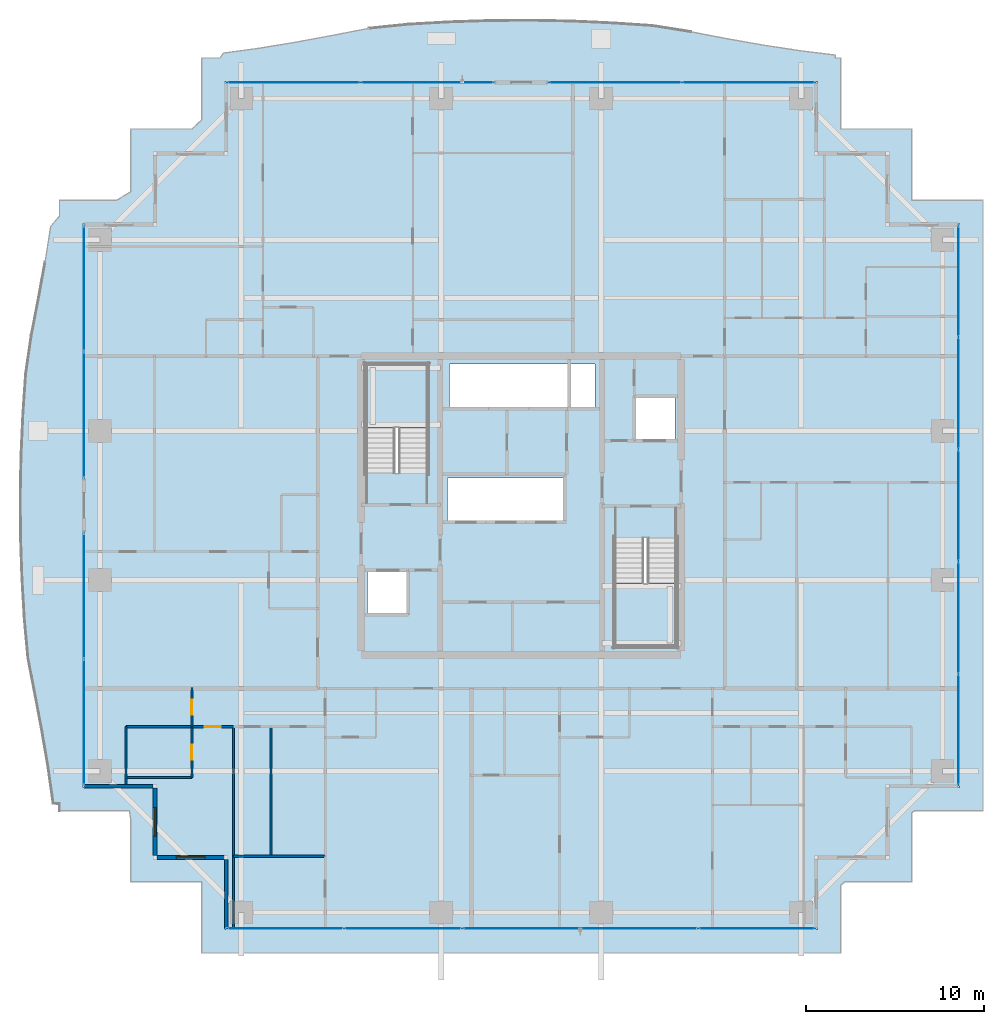
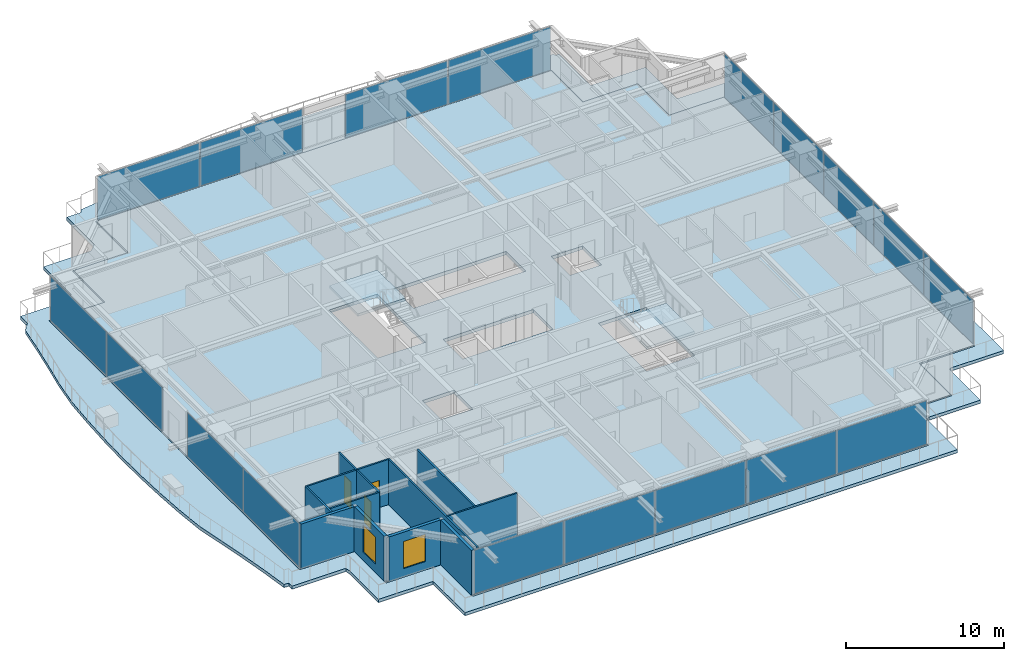
# One storey, part 26 of 39: 18 plates, 13 walls, 4 slabs, 3 doors, 2 windows, 5 openings, 8 elements without a shape of their own.
"""IFC4 building model written with IfcOpenShell, lengths in metres."""

from ifc_helpers import new_model, si_unit, direction, frame, frame_2d, origin, origin_2d, place, context, subcontext, project, spatial, polyline, rectangle, outline, extrude, source, transform, mapped, material, layer, layer_set, type_object, element, fill, aggregate, save


model = new_model("IFC4")

# Units and contexts
model_context = context("Model", 3, precision=1e-05, world=origin(), true_north=direction((0.0, 1.0)))
body_context = subcontext(model_context, "Body", "Model", "MODEL_VIEW")
ifc_project = project(units=[si_unit("LENGTHUNIT", "METRE"), si_unit("AREAUNIT", "SQUARE_METRE"), si_unit("VOLUMEUNIT", "CUBIC_METRE"), si_unit("PLANEANGLEUNIT", "RADIAN"), si_unit("MASSUNIT", "GRAM", prefix="KILO")], contexts=[model_context])

# Site, building, storey
site_placement = place(None, origin())
site = spatial("IfcSite", under=ifc_project, at=site_placement, CompositionType="ELEMENT")
building_placement = place(site_placement, origin())
building = spatial("IfcBuilding", under=site, at=building_placement, Name="Serunith Strait Residences", CompositionType="ELEMENT")
storey_placement = place(building_placement, frame((0.0, 0.0, 168.89990234375)))
storey = spatial("IfcBuildingStorey", under=building, at=storey_placement, Name="L42", CompositionType="ELEMENT", Elevation=168.89990234375)

# Slab
ifc_material_1 = material(Name="Concrete C50/60", Category="concrete")
ifc_layer_1 = layer(ifc_material_1, 0.239990234375, Name="Concrete C50/60")
ifc_layer_set_1 = layer_set([ifc_layer_1], Name="Concrete C50/60")
slab_type_1 = type_object("IfcSlabType", Name="SLB-BALC-240", PredefinedType="FLOOR", material=ifc_layer_set_1)
slab_1_placement = place(storey_placement, frame((0.0, 0.0, -0.289794921875)))
element("IfcSlab", 1, at=slab_1_placement, inside=storey, type_object=slab_type_1, Name="L42 Planted Vertical-Forest Balcony Slab", PredefinedType="FLOOR", context=body_context, shape_type="SweptSolid", body=[
    extrude(outline(polyline([(6.419921875, 8.02001953125), (6.419921875, 8.41455078125), (6.073974609375, 8.43408203125), (5.789306640625, 10.43408203125), (5.448486328125, 12.45458984375), (5.06103515625, 14.5126953125), (4.6513671875, 16.627197265625), (4.44970703125, 18.856201171875), (4.31787109375, 21.12841796875), (4.2392578125, 23.425537109375), (4.2216796875, 25.734619140625), (4.266845703125, 28.0400390625), (4.3701171875, 30.327392578125), (4.521728515625, 32.585205078125), (4.837646484375, 34.760986328125), (5.240966796875, 36.847412109375), (5.609130859375, 38.885986328125), (5.9248046875, 40.89501953125), (6.419921875, 41.472412109375), (6.419921875, 42.3798828125), (9.645263671875, 42.3798828125), (10.419921875, 42.84130859375), (10.419921875, 46.3798828125), (13.884033203125, 46.3798828125), (14.419921875, 46.893798828125), (14.419921875, 50.3798828125), (15.452392578125, 50.3798828125), (15.646728515625, 50.650634765625), (17.646728515625, 50.923828125), (19.664794921875, 51.25439453125), (21.71875, 51.634765625), (23.82861328125, 52.041748046875), (26.050048828125, 52.267822265625), (28.32421875, 52.3974609375), (30.623779296875, 52.47412109375), (32.93505859375, 52.490234375), (35.24267578125, 52.444091796875), (37.531494140625, 52.340576171875), (39.7900390625, 52.189453125), (41.95458984375, 51.848388671875), (44.035888671875, 51.44970703125), (46.07080078125, 51.0908203125), (48.078369140625, 50.787109375), (50.074462890625, 50.54052734375), (50.0732421875, 50.3798828125), (50.3798828125, 50.3798828125), (50.3798828125, 46.3798828125), (54.3798828125, 46.3798828125), (54.3798828125, 42.3798828125), (58.3798828125, 42.3798828125), (58.3798828125, 8.02001953125), (54.51513671875, 8.02001953125), (54.3798828125, 7.921875), (54.3798828125, 4.02001953125), (50.601806640625, 4.02001953125), (50.3798828125, 3.8408203125), (50.3798828125, 0.02001953125), (14.419921875, 0.02001953125), (14.419921875, 4.02001953125), (10.419921875, 4.02001953125), (10.419921875, 7.585205078125), (10.35498046875, 8.02001953125), (6.419921875, 8.02001953125)]), holes=[polyline([(49.054931640625, 1.344970703125), (49.054931640625, 5.344970703125), (53.054931640625, 5.344970703125), (53.054931640625, 9.344970703125), (57.054931640625, 9.344970703125), (57.054931640625, 41.054931640625), (53.054931640625, 41.054931640625), (53.054931640625, 45.054931640625), (49.054931640625, 45.054931640625), (49.054931640625, 49.054931640625), (15.7451171875, 49.054931640625), (15.7451171875, 45.054931640625), (11.7451171875, 45.054931640625), (11.7451171875, 41.054931640625), (7.7451171875, 41.054931640625), (7.7451171875, 9.344970703125), (11.7451171875, 9.344970703125), (11.7451171875, 5.344970703125), (15.7451171875, 5.344970703125), (15.7451171875, 1.344970703125), (49.054931640625, 1.344970703125)])]), origin(), (0.0, 0.0, 1.0), 0.239990234375),
])

# Stair, slab
stair_type_1 = type_object("IfcStairType", Name="STR-CORE-1", PredefinedType="HALF_TURN_STAIR", material=ifc_material_1)
stair_1_placement = place(storey_placement, origin())
stair_1 = element("IfcStair", 2, at=stair_1_placement, inside=storey, type_object=stair_type_1, Name="L42 Protected Escape Stair ST-1", PredefinedType="HALF_TURN_STAIR")
ifc_layer_2 = layer(ifc_material_1, 0.199951171875, Name="Concrete C50/60")
ifc_layer_set_2 = layer_set([ifc_layer_2], Name="Concrete C50/60")
slab_type_2 = type_object("IfcSlabType", Name="SLB-LAND-200", PredefinedType="LANDING", material=ifc_layer_set_2)
slab_2_placement = place(storey_placement, frame((0.0, 0.0, 1.675048828125)))
slab_2 = element("IfcSlab", 3, at=slab_2_placement, type_object=slab_type_2, Name="ST-1 landing 1", PredefinedType="LANDING", context=body_context, shape_type="SweptSolid", body=[
    extrude(outline(polyline([(27.14990234375, 29.550048828125), (27.14990234375, 33.14990234375), (23.64990234375, 33.14990234375), (23.64990234375, 29.550048828125), (27.14990234375, 29.550048828125)])), origin(), (0.0, 0.0, 1.0), 0.199951171875),
])
aggregate(stair_1, [slab_2])

stair_type_2 = type_object("IfcStairType", Name="STR-CORE-2", PredefinedType="HALF_TURN_STAIR", material=ifc_material_1)
stair_2_placement = place(storey_placement, origin())
stair_2 = element("IfcStair", 4, at=stair_2_placement, inside=storey, type_object=stair_type_2, Name="L42 Protected Escape Stair ST-2", PredefinedType="HALF_TURN_STAIR")
slab_3_placement = place(storey_placement, frame((0.0, 0.0, 1.675048828125)))
slab_3 = element("IfcSlab", 5, at=slab_3_placement, type_object=slab_type_2, Name="ST-2 landing 1", PredefinedType="LANDING", context=body_context, shape_type="SweptSolid", body=[
    extrude(outline(polyline([(37.64990234375, 20.85009765625), (37.64990234375, 17.25), (41.14990234375, 17.25), (41.14990234375, 20.85009765625), (37.64990234375, 20.85009765625)])), origin(), (0.0, 0.0, 1.0), 0.199951171875),
])
aggregate(stair_2, [slab_3])

# Slab
ifc_material_2 = material(Name="Concrete C60/75", Category="concrete")
ifc_layer_3 = layer(ifc_material_2, 0.260009765625, Name="Concrete C60/75")
ifc_layer_set_3 = layer_set([ifc_layer_3], Name="Concrete C60/75")
slab_type_3 = type_object("IfcSlabType", Name="SLB-TWR-260-Z2", PredefinedType="FLOOR", material=ifc_layer_set_3)
slab_4_placement = place(storey_placement, frame((0.0, 0.0, -0.260009765625)))
element("IfcSlab", 6, at=slab_4_placement, inside=storey, type_object=slab_type_3, Name="L42 Structural Floor Plate", PredefinedType="FLOOR", context=body_context, shape_type="SweptSolid", body=[
    extrude(outline(polyline([(15.800048828125, 5.39990234375), (11.800048828125, 5.39990234375), (11.800048828125, 9.39990234375), (7.800048828125, 9.39990234375), (7.800048828125, 41.0), (11.800048828125, 41.0), (11.800048828125, 45.0), (15.800048828125, 45.0), (15.800048828125, 49.0), (49.0, 49.0), (49.0, 45.0), (53.0, 45.0), (53.0, 41.0), (57.0, 41.0), (57.0, 9.39990234375), (53.0, 9.39990234375), (53.0, 5.39990234375), (49.0, 5.39990234375), (49.0, 1.39990234375), (15.800048828125, 1.39990234375), (15.800048828125, 5.39990234375)]), holes=[polyline([(41.14990234375, 23.3701171875), (37.64990234375, 23.3701171875), (37.64990234375, 17.25), (41.14990234375, 17.25), (41.14990234375, 23.3701171875)]), polyline([(38.75, 31.25), (38.75, 28.85009765625), (41.050048828125, 28.85009765625), (41.050048828125, 31.25), (38.75, 31.25)]), polyline([(36.550048828125, 33.14990234375), (28.35009765625, 33.14990234375), (28.35009765625, 30.64990234375), (36.550048828125, 30.64990234375), (36.550048828125, 33.14990234375)]), polyline([(34.85009765625, 26.75), (28.25, 26.75), (28.25, 24.25), (34.85009765625, 24.25), (34.85009765625, 26.75)]), polyline([(23.64990234375, 33.14990234375), (23.64990234375, 27.030029296875), (27.14990234375, 27.030029296875), (27.14990234375, 33.14990234375), (23.64990234375, 33.14990234375)]), polyline([(26.050048828125, 21.550048828125), (23.75, 21.550048828125), (23.75, 19.14990234375), (26.050048828125, 19.14990234375), (26.050048828125, 21.550048828125)])]), origin(), (0.0, 0.0, 1.0), 0.260009765625),
])

# Curtain wall, plates
ifc_material_3 = material(Name="Pale-Champagne Anodised Aluminium", Category="aluminium")
ifc_layer_4 = layer(ifc_material_3, 0.199951171875, Name="Pale-Champagne Anodised Aluminium")
ifc_layer_set_4 = layer_set([ifc_layer_4], Name="Pale-Champagne Anodised Aluminium")
curtain_wall_type = type_object("IfcCurtainWallType", Name="CW-SYS2", PredefinedType="NOTDEFINED", material=ifc_layer_set_4)
curtain_wall_1_placement = place(storey_placement, origin())
curtain_wall_1 = element("IfcCurtainWall", 7, at=curtain_wall_1_placement, inside=storey, type_object=curtain_wall_type, Name="L42 S Unitised Fritted Curtain Wall", PredefinedType="NOTDEFINED")
ifc_material_4 = material(Name="Diagonal-Frit Operable Low-E Glazing 30mm", Category="glass")
ifc_layer_5 = layer(ifc_material_4, 0.030029296875, Name="Diagonal-Frit Operable Low-E Glazing 30mm")
ifc_layer_set_5 = layer_set([ifc_layer_5], Name="Diagonal-Frit Operable Low-E Glazing 30mm")
plate_type = type_object("IfcPlateType", Name="CW-SYS2-PNL", PredefinedType="CURTAIN_PANEL", material=ifc_layer_set_5)
shared_shape_1 = source(origin(), body_context, "Body", "SweptSolid", [
    extrude(rectangle(XDim=6.534912109375, YDim=0.030029296875, at=origin_2d()), origin(), (0.0, 0.0, 1.0), 3.35498046875),
])
plate_1_placement = place(storey_placement, frame((19.137451171875, 1.39990234375, 0.06005859375), z_axis=(0.0, 0.0, 1.0), x_axis=(1.0, 0.0, 0.0)))
plate_1 = element("IfcPlate", 8, at=plate_1_placement, type_object=plate_type, Name="CW-2 panel 1.1", PredefinedType="CURTAIN_PANEL", context=body_context, shape_type="MappedRepresentation", body=[
    mapped(shared_shape_1, transform((0.0, 0.0, 0.0), scale=1.0)),
])
plate_2_placement = place(storey_placement, frame((45.66259765625, 1.39990234375, 0.06005859375), z_axis=(0.0, 0.0, 1.0), x_axis=(1.0, 0.0, 0.0)))
plate_2 = element("IfcPlate", 9, at=plate_2_placement, type_object=plate_type, Name="CW-2 panel 5.1", PredefinedType="CURTAIN_PANEL", context=body_context, shape_type="MappedRepresentation", body=[
    mapped(shared_shape_1, transform((0.0, 0.0, 0.0), scale=1.0)),
])
shared_shape_2 = source(origin(), body_context, "Body", "SweptSolid", [
    extrude(rectangle(XDim=6.570068359375, YDim=0.030029296875, at=origin_2d()), origin(), (0.0, 0.0, 1.0), 3.35498046875),
])
plate_3_placement = place(storey_placement, frame((25.760009765625, 1.39990234375, 0.06005859375), z_axis=(0.0, 0.0, 1.0), x_axis=(1.0, 0.0, 0.0)))
plate_3 = element("IfcPlate", 10, at=plate_3_placement, type_object=plate_type, Name="CW-2 panel 2.1", PredefinedType="CURTAIN_PANEL", context=body_context, shape_type="MappedRepresentation", body=[
    mapped(shared_shape_2, transform((0.0, 0.0, 0.0), scale=1.0)),
])
plate_4_placement = place(storey_placement, frame((32.39990234375, 1.39990234375, 0.06005859375), z_axis=(0.0, 0.0, 1.0), x_axis=(1.0, 0.0, 0.0)))
plate_4 = element("IfcPlate", 11, at=plate_4_placement, type_object=plate_type, Name="CW-2 panel 3.1", PredefinedType="CURTAIN_PANEL", context=body_context, shape_type="MappedRepresentation", body=[
    mapped(shared_shape_2, transform((0.0, 0.0, 0.0), scale=1.0)),
])
plate_5_placement = place(storey_placement, frame((39.0400390625, 1.39990234375, 0.06005859375), z_axis=(0.0, 0.0, 1.0), x_axis=(1.0, 0.0, 0.0)))
plate_5 = element("IfcPlate", 12, at=plate_5_placement, type_object=plate_type, Name="CW-2 panel 4.1", PredefinedType="CURTAIN_PANEL", context=body_context, shape_type="MappedRepresentation", body=[
    mapped(shared_shape_2, transform((0.0, 0.0, 0.0), scale=1.0)),
])
aggregate(curtain_wall_1, [plate_1, plate_3, plate_4, plate_5, plate_2])

curtain_wall_2_placement = place(storey_placement, origin())
curtain_wall_2 = element("IfcCurtainWall", 13, at=curtain_wall_2_placement, inside=storey, type_object=curtain_wall_type, Name="L42 E Unitised Fritted Curtain Wall", PredefinedType="NOTDEFINED")
shared_shape_3 = source(origin(), body_context, "Body", "SweptSolid", [
    extrude(rectangle(XDim=6.215087890625, YDim=0.030029296875, at=origin_2d()), origin(), (0.0, 0.0, 1.0), 3.35498046875),
])
plate_6_placement = place(storey_placement, frame((57.0, 12.577392578125, 0.06005859375), z_axis=(0.0, 0.0, 1.0), x_axis=(0.0, 1.0, 0.0)))
plate_6 = element("IfcPlate", 14, at=plate_6_placement, type_object=plate_type, Name="CW-2 panel 1.1", PredefinedType="CURTAIN_PANEL", context=body_context, shape_type="MappedRepresentation", body=[
    mapped(shared_shape_3, transform((0.0, 0.0, 0.0), scale=1.0)),
])
plate_7_placement = place(storey_placement, frame((57.0, 37.822509765625, 0.06005859375), z_axis=(0.0, 0.0, 1.0), x_axis=(0.0, 1.0, 0.0)))
plate_7 = element("IfcPlate", 15, at=plate_7_placement, type_object=plate_type, Name="CW-2 panel 5.1", PredefinedType="CURTAIN_PANEL", context=body_context, shape_type="MappedRepresentation", body=[
    mapped(shared_shape_3, transform((0.0, 0.0, 0.0), scale=1.0)),
])
shared_shape_4 = source(origin(), body_context, "Body", "SweptSolid", [
    extrude(rectangle(XDim=6.25, YDim=0.030029296875, at=origin_2d()), origin(), (0.0, 0.0, 1.0), 3.35498046875),
])
plate_8_placement = place(storey_placement, frame((57.0, 18.8798828125, 0.06005859375), z_axis=(0.0, 0.0, 1.0), x_axis=(0.0, 1.0, 0.0)))
plate_8 = element("IfcPlate", 16, at=plate_8_placement, type_object=plate_type, Name="CW-2 panel 2.1", PredefinedType="CURTAIN_PANEL", context=body_context, shape_type="MappedRepresentation", body=[
    mapped(shared_shape_4, transform((0.0, 0.0, 0.0), scale=1.0)),
])
plate_9_placement = place(storey_placement, frame((57.0, 25.199951171875, 0.06005859375), z_axis=(0.0, 0.0, 1.0), x_axis=(0.0, 1.0, 0.0)))
plate_9 = element("IfcPlate", 17, at=plate_9_placement, type_object=plate_type, Name="CW-2 panel 3.1", PredefinedType="CURTAIN_PANEL", context=body_context, shape_type="MappedRepresentation", body=[
    mapped(shared_shape_4, transform((0.0, 0.0, 0.0), scale=1.0)),
])
plate_10_placement = place(storey_placement, frame((57.0, 31.52001953125, 0.06005859375), z_axis=(0.0, 0.0, 1.0), x_axis=(0.0, 1.0, 0.0)))
plate_10 = element("IfcPlate", 18, at=plate_10_placement, type_object=plate_type, Name="CW-2 panel 4.1", PredefinedType="CURTAIN_PANEL", context=body_context, shape_type="MappedRepresentation", body=[
    mapped(shared_shape_4, transform((0.0, 0.0, 0.0), scale=1.0)),
])
aggregate(curtain_wall_2, [plate_6, plate_8, plate_9, plate_10, plate_7])

curtain_wall_3_placement = place(storey_placement, origin())
curtain_wall_3 = element("IfcCurtainWall", 19, at=curtain_wall_3_placement, inside=storey, type_object=curtain_wall_type, Name="L42 N Unitised Fritted Curtain Wall", PredefinedType="NOTDEFINED")
shared_shape_5 = source(origin(), body_context, "Body", "SweptSolid", [
    extrude(rectangle(XDim=7.445068359375, YDim=0.030029296875, at=origin_2d()), origin(), (0.0, 0.0, 1.0), 3.35498046875),
])
plate_11_placement = place(storey_placement, frame((45.20751953125, 49.0, 0.06005859375), z_axis=(0.0, 0.0, 1.0), x_axis=(-1.0, 0.0, 0.0)))
plate_11 = element("IfcPlate", 20, at=plate_11_placement, type_object=plate_type, Name="CW-2 panel 1.1", PredefinedType="CURTAIN_PANEL", context=body_context, shape_type="MappedRepresentation", body=[
    mapped(shared_shape_5, transform((0.0, 0.0, 0.0), scale=1.0)),
])
plate_12_placement = place(storey_placement, frame((37.6923828125, 49.0, 0.06005859375), z_axis=(0.0, 0.0, 1.0), x_axis=(-1.0, 0.0, 0.0)))
plate_12 = element("IfcPlate", 21, at=plate_12_placement, type_object=plate_type, Name="CW-2 panel 2.1", PredefinedType="CURTAIN_PANEL", context=body_context, shape_type="MappedRepresentation", body=[
    mapped(shared_shape_5, transform((0.0, 0.0, 0.0), scale=1.0)),
])
aggregate(curtain_wall_3, [plate_11, plate_12])

curtain_wall_4_placement = place(storey_placement, origin())
curtain_wall_4 = element("IfcCurtainWall", 22, at=curtain_wall_4_placement, inside=storey, type_object=curtain_wall_type, Name="L42 N Unitised Fritted Curtain Wall", PredefinedType="NOTDEFINED")
plate_13_placement = place(storey_placement, frame((27.107421875, 49.0, 0.06005859375), z_axis=(0.0, 0.0, 1.0), x_axis=(-1.0, 0.0, 0.0)))
plate_13 = element("IfcPlate", 23, at=plate_13_placement, type_object=plate_type, Name="CW-2 panel 1.1", PredefinedType="CURTAIN_PANEL", context=body_context, shape_type="MappedRepresentation", body=[
    mapped(shared_shape_5, transform((0.0, 0.0, 0.0), scale=1.0)),
])
plate_14_placement = place(storey_placement, frame((19.592529296875, 49.0, 0.06005859375), z_axis=(0.0, 0.0, 1.0), x_axis=(-1.0, 0.0, 0.0)))
plate_14 = element("IfcPlate", 24, at=plate_14_placement, type_object=plate_type, Name="CW-2 panel 2.1", PredefinedType="CURTAIN_PANEL", context=body_context, shape_type="MappedRepresentation", body=[
    mapped(shared_shape_5, transform((0.0, 0.0, 0.0), scale=1.0)),
])
aggregate(curtain_wall_4, [plate_13, plate_14])

curtain_wall_5_placement = place(storey_placement, origin())
curtain_wall_5 = element("IfcCurtainWall", 25, at=curtain_wall_5_placement, inside=storey, type_object=curtain_wall_type, Name="L42 W Unitised Fritted Curtain Wall", PredefinedType="NOTDEFINED")
shared_shape_6 = source(origin(), body_context, "Body", "SweptSolid", [
    extrude(rectangle(XDim=7.044921875, YDim=0.030029296875, at=origin_2d()), origin(), (0.0, 0.0, 1.0), 3.35498046875),
])
plate_15_placement = place(storey_placement, frame((7.800048828125, 37.407470703125, 0.06005859375), z_axis=(0.0, 0.0, 1.0), x_axis=(0.0, -1.0, 0.0)))
plate_15 = element("IfcPlate", 26, at=plate_15_placement, type_object=plate_type, Name="CW-2 panel 1.1", PredefinedType="CURTAIN_PANEL", context=body_context, shape_type="MappedRepresentation", body=[
    mapped(shared_shape_6, transform((0.0, 0.0, 0.0), scale=1.0)),
])
plate_16_placement = place(storey_placement, frame((7.800048828125, 30.29248046875, 0.06005859375), z_axis=(0.0, 0.0, 1.0), x_axis=(0.0, -1.0, 0.0)))
plate_16 = element("IfcPlate", 27, at=plate_16_placement, type_object=plate_type, Name="CW-2 panel 2.1", PredefinedType="CURTAIN_PANEL", context=body_context, shape_type="MappedRepresentation", body=[
    mapped(shared_shape_6, transform((0.0, 0.0, 0.0), scale=1.0)),
])
aggregate(curtain_wall_5, [plate_15, plate_16])

curtain_wall_6_placement = place(storey_placement, origin())
curtain_wall_6 = element("IfcCurtainWall", 28, at=curtain_wall_6_placement, inside=storey, type_object=curtain_wall_type, Name="L42 W Unitised Fritted Curtain Wall", PredefinedType="NOTDEFINED")
plate_17_placement = place(storey_placement, frame((7.800048828125, 20.107421875, 0.06005859375), z_axis=(0.0, 0.0, 1.0), x_axis=(0.0, -1.0, 0.0)))
plate_17 = element("IfcPlate", 29, at=plate_17_placement, type_object=plate_type, Name="CW-2 panel 1.1", PredefinedType="CURTAIN_PANEL", context=body_context, shape_type="MappedRepresentation", body=[
    mapped(shared_shape_6, transform((0.0, 0.0, 0.0), scale=1.0)),
])
plate_18_placement = place(storey_placement, frame((7.800048828125, 12.992431640625, 0.06005859375), z_axis=(0.0, 0.0, 1.0), x_axis=(0.0, -1.0, 0.0)))
plate_18 = element("IfcPlate", 30, at=plate_18_placement, type_object=plate_type, Name="CW-2 panel 2.1", PredefinedType="CURTAIN_PANEL", context=body_context, shape_type="MappedRepresentation", body=[
    mapped(shared_shape_6, transform((0.0, 0.0, 0.0), scale=1.0)),
])
aggregate(curtain_wall_6, [plate_17, plate_18])

# Wall
ifc_material_5 = material(Name="Pale-Champagne Aluminium Insulated Panel", Category="aluminium")
ifc_layer_6 = layer(ifc_material_5, 0.219970703125, Name="Pale-Champagne Aluminium Insulated Panel")
ifc_layer_set_6 = layer_set([ifc_layer_6], Name="Pale-Champagne Aluminium Insulated Panel")
wall_type_1 = type_object("IfcWallType", Name="EW-ALUM-220", PredefinedType="ELEMENTEDWALL", material=ifc_layer_set_6)
wall_1_placement = place(storey_placement, frame((7.800048828125, 9.39990234375, 0.0), z_axis=(0.0, 0.0, 1.0), x_axis=(1.0, 0.0, 0.0)))
element("IfcWall", 31, at=wall_1_placement, inside=storey, type_object=wall_type_1, Name="L42 Girih Serrated Corner Wall 17", PredefinedType="ELEMENTEDWALL", context=body_context, shape_type="SweptSolid", body=[
    extrude(rectangle(XDim=3.889892578125, YDim=0.219970703125, at=frame_2d((1.94482421875, 0.0))), origin(), (0.0, 0.0, 1.0), 3.47509765625),
])

# Wall, opening, window
wall_2_placement = place(storey_placement, frame((11.800048828125, 9.2900390625, 0.0), z_axis=(0.0, 0.0, 1.0), x_axis=(0.0, -1.0, 0.0)))
wall_2 = element("IfcWall", 32, at=wall_2_placement, inside=storey, type_object=wall_type_1, Name="L42 Girih Serrated Corner Wall 18", PredefinedType="ELEMENTEDWALL", context=body_context, shape_type="SweptSolid", body=[
    extrude(rectangle(XDim=3.780029296875, YDim=0.219970703125, at=frame_2d((1.89013671875, 0.0))), origin(), (0.0, 0.0, 1.0), 3.47509765625),
])
opening_1_placement = place(wall_2_placement, frame((1.090087890625, 0.0, 0.64990234375)))
opening_1 = element("IfcOpeningElement", 33, at=opening_1_placement, cuts=wall_2, Name="Opening W-02", PredefinedType="OPENING", context=body_context, shape_type="SweptSolid", body=[
    extrude(rectangle(XDim=1.60009765625, YDim=2.10009765625, at=frame_2d((0.800048828125, 1.050048828125))), frame((0.0, 0.1201171875, 0.0), z_axis=(0.0, -1.0, 0.0), x_axis=(1.0, 0.0, 0.0)), (0.0, 0.0, 1.0), 0.239990234375),
])
ifc_material_6 = material(Name="Ceramic-Fritted Operable Aluminium Window Glass", Category="aluminium")
window_type = type_object("IfcWindowType", Name="WIN-C2", PartitioningType="DOUBLE_PANEL_VERTICAL", PredefinedType="WINDOW", material=ifc_material_6)
shared_shape_7 = source(origin(), body_context, "Body", "SweptSolid", [
    extrude(rectangle(XDim=1.60009765625, YDim=2.10009765625, at=frame_2d((0.800048828125, 1.050048828125))), frame((0.0, 0.030029296875, 0.0), z_axis=(0.0, -1.0, 0.0), x_axis=(1.0, 0.0, 0.0)), (0.0, 0.0, 1.0), 0.06005859375),
])
window_1_placement = place(opening_1_placement, origin())
window_1 = element("IfcWindow", 34, at=window_1_placement, inside=storey, type_object=window_type, Name="L42 Corner Operable Fritted Window 18", OverallHeight=2.10009765625, OverallWidth=1.60009765625, PartitioningType="SINGLE_PANEL", PredefinedType="WINDOW", context=body_context, shape_type="MappedRepresentation", body=[
    mapped(shared_shape_7, transform((0.0, 0.0, 0.0), scale=1.0)),
])
fill(opening_1, window_1)

wall_3_placement = place(storey_placement, frame((11.909912109375, 5.39990234375, 0.0), z_axis=(0.0, 0.0, 1.0), x_axis=(1.0, 0.0, 0.0)))
wall_3 = element("IfcWall", 35, at=wall_3_placement, inside=storey, type_object=wall_type_1, Name="L42 Girih Serrated Corner Wall 19", PredefinedType="ELEMENTEDWALL", context=body_context, shape_type="SweptSolid", body=[
    extrude(rectangle(XDim=3.780029296875, YDim=0.219970703125, at=frame_2d((1.89013671875, 0.0))), origin(), (0.0, 0.0, 1.0), 3.47509765625),
])
opening_2_placement = place(wall_3_placement, frame((1.090087890625, 0.0, 0.64990234375)))
opening_2 = element("IfcOpeningElement", 36, at=opening_2_placement, cuts=wall_3, Name="Opening W-02", PredefinedType="OPENING", context=body_context, shape_type="SweptSolid", body=[
    extrude(rectangle(XDim=1.60009765625, YDim=2.10009765625, at=frame_2d((0.800048828125, 1.050048828125))), frame((0.0, 0.1201171875, 0.0), z_axis=(0.0, -1.0, 0.0), x_axis=(1.0, 0.0, 0.0)), (0.0, 0.0, 1.0), 0.239990234375),
])
window_2_placement = place(opening_2_placement, origin())
window_2 = element("IfcWindow", 37, at=window_2_placement, inside=storey, type_object=window_type, Name="L42 Corner Operable Fritted Window 19", OverallHeight=2.10009765625, OverallWidth=1.60009765625, PartitioningType="SINGLE_PANEL", PredefinedType="WINDOW", context=body_context, shape_type="MappedRepresentation", body=[
    mapped(shared_shape_7, transform((0.0, 0.0, 0.0), scale=1.0)),
])
fill(opening_2, window_2)

# Walls
wall_4_placement = place(storey_placement, frame((15.800048828125, 5.2900390625, 0.0), z_axis=(0.0, 0.0, 1.0), x_axis=(0.0, -1.0, 0.0)))
element("IfcWall", 38, at=wall_4_placement, inside=storey, type_object=wall_type_1, Name="L42 Girih Serrated Corner Wall 20", PredefinedType="ELEMENTEDWALL", context=body_context, shape_type="SweptSolid", body=[
    extrude(rectangle(XDim=3.89013671875, YDim=0.219970703125, at=frame_2d((1.945068359375, 0.0))), origin(), (0.0, 0.0, 1.0), 3.47509765625),
])
ifc_material_7 = material(Name="Lightweight steel-stud gypsum partition", Category="steel")
ifc_layer_7 = layer(ifc_material_7, 0.1201171875, Name="Lightweight steel-stud gypsum partition")
ifc_layer_set_7 = layer_set([ifc_layer_7], Name="Lightweight steel-stud gypsum partition")
wall_type_2 = type_object("IfcWallType", Name="IW-PART-120", PredefinedType="PARTITIONING", material=ifc_layer_set_7)
wall_5_placement = place(storey_placement, frame((16.219970703125, 5.458984375, 0.0), z_axis=(0.0, 0.0, 1.0), x_axis=(1.0, 0.0, 0.0)))
element("IfcWall", 39, at=wall_5_placement, inside=storey, type_object=wall_type_2, Name="L42 Partition Wall 034", PredefinedType="PARTITIONING", context=body_context, shape_type="SweptSolid", body=[
    extrude(rectangle(XDim=5.150146484375, YDim=0.1201171875, at=frame_2d((2.5751953125, 0.0))), origin(), (0.0, 0.0, 1.0), 3.489990234375),
])
wall_6_placement = place(storey_placement, frame((16.219970703125, 1.4951171875, 0.0), z_axis=(0.0, 0.0, 1.0), x_axis=(0.0, 1.0, 0.0)))
element("IfcWall", 40, at=wall_6_placement, inside=storey, type_object=wall_type_2, Name="L42 Partition Wall 035", PredefinedType="PARTITIONING", context=body_context, shape_type="SweptSolid", body=[
    extrude(rectangle(XDim=11.2548828125, YDim=0.1201171875, at=frame_2d((5.62744140625, 0.0))), origin(), (0.0, 0.0, 1.0), 3.489990234375),
])
wall_7_placement = place(storey_placement, frame((18.320068359375, 5.458984375, 0.0), z_axis=(0.0, 0.0, 1.0), x_axis=(0.0, 1.0, 0.0)))
element("IfcWall", 41, at=wall_7_placement, inside=storey, type_object=wall_type_2, Name="L42 Partition Wall 036", PredefinedType="PARTITIONING", context=body_context, shape_type="SweptSolid", body=[
    extrude(rectangle(XDim=7.291015625, YDim=0.1201171875, at=frame_2d((3.6455078125, 0.0))), origin(), (0.0, 0.0, 1.0), 3.489990234375),
])

# Wall, opening, door
wall_8_placement = place(storey_placement, frame((13.8701171875, 12.75, 0.0), z_axis=(0.0, 0.0, 1.0), x_axis=(1.0, 0.0, 0.0)))
wall_8 = element("IfcWall", 42, at=wall_8_placement, inside=storey, type_object=wall_type_2, Name="L42 Partition Wall 039", PredefinedType="PARTITIONING", context=body_context, shape_type="SweptSolid", body=[
    extrude(rectangle(XDim=2.347900390625, YDim=0.1201171875, at=frame_2d((1.173828125, 0.0))), origin(), (0.0, 0.0, 1.0), 3.489990234375),
])
opening_3_placement = place(wall_8_placement, frame((0.72412109375, 0.0, 0.0)))
opening_3 = element("IfcOpeningElement", 43, at=opening_3_placement, cuts=wall_8, Name="Opening D-RM900", PredefinedType="OPENING", context=body_context, shape_type="SweptSolid", body=[
    extrude(rectangle(XDim=0.89990234375, YDim=2.10009765625, at=frame_2d((0.449951171875, 1.050048828125))), frame((0.0, 0.070068359375, 0.0), z_axis=(0.0, -1.0, 0.0), x_axis=(1.0, 0.0, 0.0)), (0.0, 0.0, 1.0), 0.14013671875),
])
ifc_material_8 = material(Name="Engineered timber flush bedroom door", Category="wood")
door_type_1 = type_object("IfcDoorType", Name="ID-ROOM-900", OperationType="NOTDEFINED", PredefinedType="DOOR", material=ifc_material_8)
shared_shape_8 = source(origin(), body_context, "Body", "SweptSolid", [
    extrude(rectangle(XDim=0.89990234375, YDim=2.10009765625, at=frame_2d((0.449951171875, 1.050048828125))), frame((0.0, 0.02490234375, 0.0), z_axis=(0.0, -1.0, 0.0), x_axis=(1.0, 0.0, 0.0)), (0.0, 0.0, 1.0), 0.050048828125),
])
door_1_placement = place(opening_3_placement, origin())
door_1 = element("IfcDoor", 44, at=door_1_placement, inside=storey, type_object=door_type_1, Name="L42 Master Bedroom W 4201 Door", OperationType="SINGLE_SWING_LEFT", OverallHeight=2.10009765625, OverallWidth=0.89990234375, PredefinedType="DOOR", context=body_context, shape_type="MappedRepresentation", body=[
    mapped(shared_shape_8, transform((0.0, 0.0, 0.0), scale=1.0)),
])
fill(opening_3, door_1)

# Walls
wall_9_placement = place(storey_placement, frame((10.169921875, 9.89501953125, 0.0), z_axis=(0.0, 0.0, 1.0), x_axis=(1.0, 0.0, 0.0)))
element("IfcWall", 45, at=wall_9_placement, inside=storey, type_object=wall_type_2, Name="L42 Partition Wall 040", PredefinedType="PARTITIONING", context=body_context, shape_type="SweptSolid", body=[
    extrude(rectangle(XDim=3.7001953125, YDim=0.1201171875, at=frame_2d((1.85009765625, 0.0))), origin(), (0.0, 0.0, 1.0), 3.489990234375),
])
wall_10_placement = place(storey_placement, frame((10.169921875, 9.4951171875, 0.0), z_axis=(0.0, 0.0, 1.0), x_axis=(0.0, 1.0, 0.0)))
element("IfcWall", 46, at=wall_10_placement, inside=storey, type_object=wall_type_2, Name="L42 Partition Wall 041", PredefinedType="PARTITIONING", context=body_context, shape_type="SweptSolid", body=[
    extrude(rectangle(XDim=3.2548828125, YDim=0.1201171875, at=frame_2d((1.62744140625, 0.0))), origin(), (0.0, 0.0, 1.0), 3.489990234375),
])
wall_11_placement = place(storey_placement, frame((10.169921875, 12.75, 0.0), z_axis=(0.0, 0.0, 1.0), x_axis=(1.0, 0.0, 0.0)))
element("IfcWall", 47, at=wall_11_placement, inside=storey, type_object=wall_type_2, Name="L42 Partition Wall 042", PredefinedType="PARTITIONING", context=body_context, shape_type="SweptSolid", body=[
    extrude(rectangle(XDim=3.697998046875, YDim=0.1201171875, at=frame_2d((1.84912109375, 0.0))), origin(), (0.0, 0.0, 1.0), 3.489990234375),
])

# Wall, opening, door
wall_12_placement = place(storey_placement, frame((13.8701171875, 9.89501953125, 0.0), z_axis=(0.0, 0.0, 1.0), x_axis=(0.0, 1.0, 0.0)))
wall_12 = element("IfcWall", 48, at=wall_12_placement, inside=storey, type_object=wall_type_2, Name="L42 Partition Wall 043", PredefinedType="PARTITIONING", context=body_context, shape_type="SweptSolid", body=[
    extrude(rectangle(XDim=2.85498046875, YDim=0.1201171875, at=frame_2d((1.427490234375, 0.0))), origin(), (0.0, 0.0, 1.0), 3.489990234375),
])
opening_4_placement = place(wall_12_placement, frame((1.0029296875, 0.0, 0.0)))
opening_4 = element("IfcOpeningElement", 49, at=opening_4_placement, cuts=wall_12, Name="Opening D-BTH850", PredefinedType="OPENING", context=body_context, shape_type="SweptSolid", body=[
    extrude(rectangle(XDim=0.85009765625, YDim=2.10009765625, at=frame_2d((0.425048828125, 1.050048828125))), frame((0.0, 0.070068359375, 0.0), z_axis=(0.0, -1.0, 0.0), x_axis=(1.0, 0.0, 0.0)), (0.0, 0.0, 1.0), 0.14013671875),
])
ifc_material_9 = material(Name="Moisture-resistant timber bathroom door", Category="wood")
door_type_2 = type_object("IfcDoorType", Name="ID-BATH-850", OperationType="NOTDEFINED", PredefinedType="DOOR", material=ifc_material_9)
shared_shape_9 = source(origin(), body_context, "Body", "SweptSolid", [
    extrude(rectangle(XDim=0.85009765625, YDim=2.10009765625, at=frame_2d((0.425048828125, 1.050048828125))), frame((0.0, 0.02490234375, 0.0), z_axis=(0.0, -1.0, 0.0), x_axis=(1.0, 0.0, 0.0)), (0.0, 0.0, 1.0), 0.050048828125),
])
door_2_placement = place(opening_4_placement, origin())
door_2 = element("IfcDoor", 50, at=door_2_placement, inside=storey, type_object=door_type_2, Name="L42 En-suite Bathroom W 4201 Door", OperationType="SINGLE_SWING_RIGHT", OverallHeight=2.10009765625, OverallWidth=0.85009765625, PredefinedType="DOOR", context=body_context, shape_type="MappedRepresentation", body=[
    mapped(shared_shape_9, transform((0.0, 0.0, 0.0), scale=1.0)),
])
fill(opening_4, door_2)

wall_13_placement = place(storey_placement, frame((13.8701171875, 12.751953125, 0.0), z_axis=(0.0, 0.0, 1.0), x_axis=(0.0, 1.0, 0.0)))
wall_13 = element("IfcWall", 51, at=wall_13_placement, inside=storey, type_object=wall_type_2, Name="L42 Partition Wall 044", PredefinedType="PARTITIONING", context=body_context, shape_type="SweptSolid", body=[
    extrude(rectangle(XDim=2.2080078125, YDim=0.1201171875, at=frame_2d((1.10400390625, 0.0))), origin(), (0.0, 0.0, 1.0), 3.489990234375),
])
opening_5_placement = place(wall_13_placement, frame((0.678955078125, 0.0, 0.0)))
opening_5 = element("IfcOpeningElement", 52, at=opening_5_placement, cuts=wall_13, Name="Opening D-RM850", PredefinedType="OPENING", context=body_context, shape_type="SweptSolid", body=[
    extrude(rectangle(XDim=0.85009765625, YDim=2.10009765625, at=frame_2d((0.425048828125, 1.050048828125))), frame((0.0, 0.070068359375, 0.0), z_axis=(0.0, -1.0, 0.0), x_axis=(1.0, 0.0, 0.0)), (0.0, 0.0, 1.0), 0.14013671875),
])
ifc_material_10 = material(Name="Engineered timber flush study and kitchen door", Category="wood")
door_type_3 = type_object("IfcDoorType", Name="ID-ROOM-850", OperationType="NOTDEFINED", PredefinedType="DOOR", material=ifc_material_10)
door_3_placement = place(opening_5_placement, origin())
door_3 = element("IfcDoor", 53, at=door_3_placement, inside=storey, type_object=door_type_3, Name="L42 Wardrobe W 4201 Door", OperationType="SINGLE_SWING_LEFT", OverallHeight=2.10009765625, OverallWidth=0.85009765625, PredefinedType="DOOR", context=body_context, shape_type="MappedRepresentation", body=[
    mapped(shared_shape_9, transform((0.0, 0.0, 0.0), scale=1.0)),
])
fill(opening_5, door_3)

save(model, "model.ifc")
